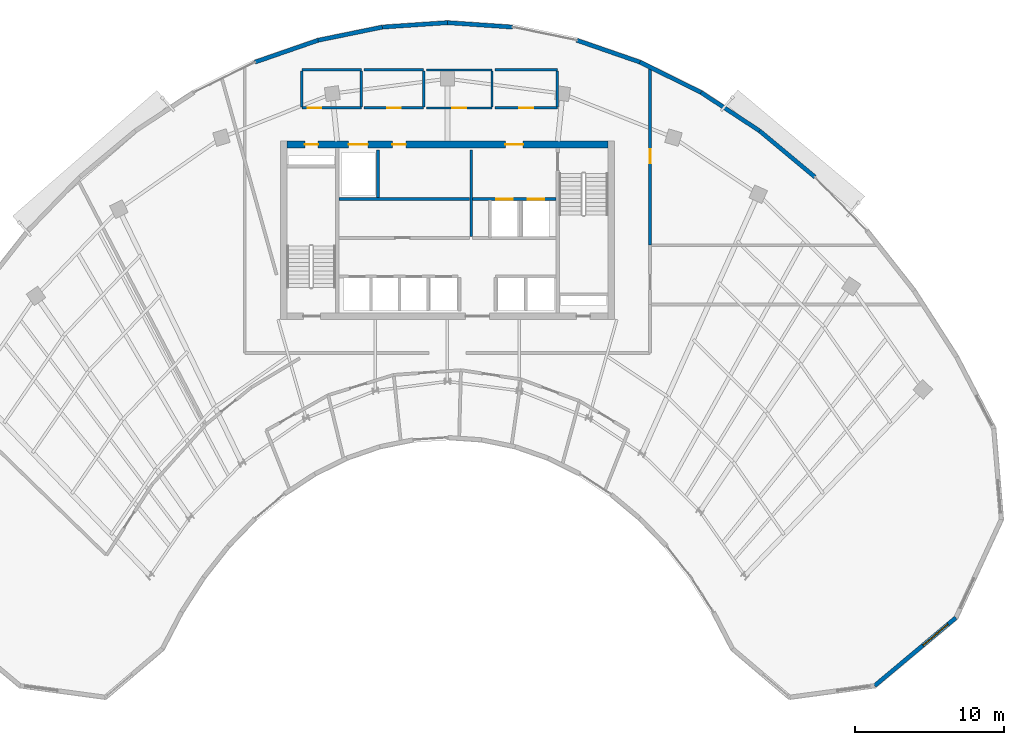
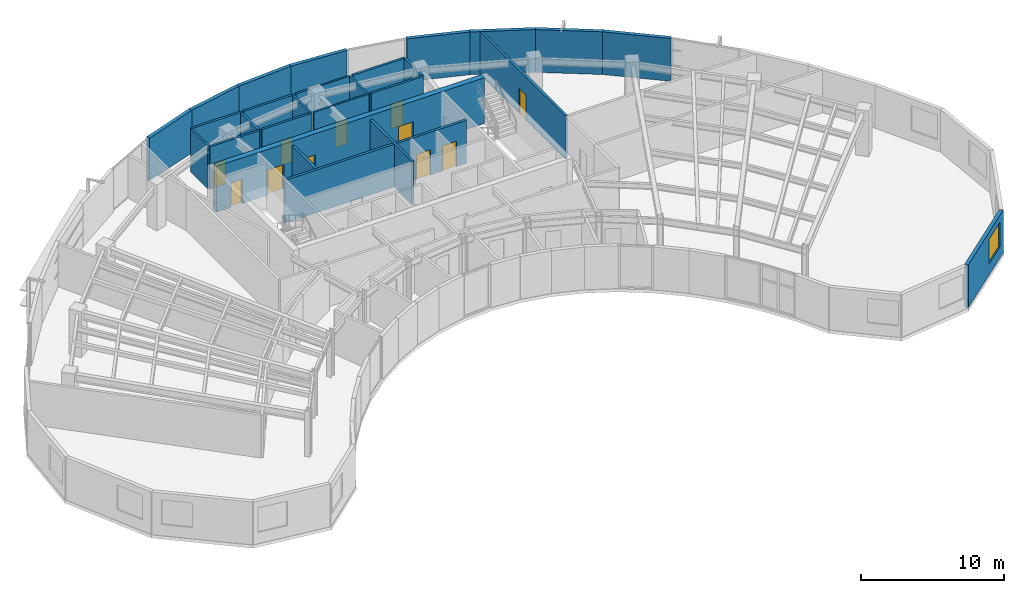
# One storey, part 10 of 13: 28 walls, 11 doors, 1 window, 12 openings.
"""IFC4 building model written with IfcOpenShell, lengths in metres."""

from ifc_helpers import new_model, si_unit, direction, frame, frame_2d, origin, place, context, subcontext, project, spatial, rectangle, extrude, source, transform, mapped, material, layer, layer_set, type_object, type_shapes, element, fill, save


model = new_model("IFC4")

# Units and contexts
model_context = context("Model", 3, precision=1e-05, world=origin(), true_north=direction((0.0, 1.0)))
body_context = subcontext(model_context, "Body", "Model", "MODEL_VIEW")
ifc_project = project(units=[si_unit("LENGTHUNIT", "METRE"), si_unit("AREAUNIT", "SQUARE_METRE"), si_unit("VOLUMEUNIT", "CUBIC_METRE"), si_unit("PLANEANGLEUNIT", "RADIAN"), si_unit("MASSUNIT", "GRAM", prefix="KILO")], contexts=[model_context])

# Site, building, storey
site_placement = place(None, origin())
site = spatial("IfcSite", under=ifc_project, at=site_placement, CompositionType="ELEMENT")
building_placement = place(site_placement, origin())
building = spatial("IfcBuilding", under=site, at=building_placement, Name="Breltana Convention Tower", CompositionType="ELEMENT")
storey_placement = place(building_placement, frame((0.0, 0.0, 223.5)))
storey = spatial("IfcBuildingStorey", under=building, at=storey_placement, Name="L54", CompositionType="ELEMENT", Elevation=223.5)

# Wall, openings, doors
ifc_material_1 = material(Name="Concrete C60/75", Category="concrete")
ifc_layer_1 = layer(ifc_material_1, 0.449951171875, Name="Concrete C60/75")
ifc_layer_set_1 = layer_set([ifc_layer_1], Name="Concrete C60/75")
wall_type_1 = type_object("IfcWallType", Name="SW-CORE-450", PredefinedType="SHEAR", material=ifc_layer_set_1)
shared_shape_1 = source(origin(), body_context, "Body", "SweptSolid", [
    extrude(rectangle(XDim=21.60009765625, YDim=0.449951171875, at=frame_2d((10.800048828125, 0.0))), origin(), (0.0, 0.0, 1.0), 3.89990234375),
])
wall_1_placement = place(storey_placement, frame((37.199951171875, 71.97509765625, 0.0), z_axis=(0.0, 0.0, 1.0), x_axis=(1.0, 0.0, 0.0)))
wall_1 = element("IfcWall", 1, at=wall_1_placement, inside=storey, type_object=wall_type_1, Name="L54 North Core Shear Wall", PredefinedType="SHEAR", context=body_context, shape_type="MappedRepresentation", body=[
    mapped(shared_shape_1, transform((0.0, 0.0, 0.0), scale=1.0)),
])
opening_1_placement = place(wall_1_placement, frame((1.199951171875, 0.0, 0.0)))
opening_1 = element("IfcOpeningElement", 2, at=opening_1_placement, cuts=wall_1, Name="Opening D-18", PredefinedType="OPENING", context=body_context, shape_type="SweptSolid", body=[
    extrude(rectangle(XDim=0.89990234375, YDim=2.10009765625, at=frame_2d((0.449951171875, 1.050048828125))), frame((0.0, 0.23486328125, 0.0), z_axis=(0.0, -1.0, 0.0), x_axis=(1.0, 0.0, 0.0)), (0.0, 0.0, 1.0), 0.469970703125),
])
opening_2_placement = place(wall_1_placement, frame((14.699951171875, 0.0, 0.0)))
opening_2 = element("IfcOpeningElement", 3, at=opening_2_placement, cuts=wall_1, Name="Opening D-09", PredefinedType="OPENING", context=body_context, shape_type="SweptSolid", body=[
    extrude(rectangle(XDim=1.199951171875, YDim=2.14990234375, at=frame_2d((0.60009765625, 1.074951171875))), frame((0.0, 0.23486328125, 0.0), z_axis=(0.0, -1.0, 0.0), x_axis=(1.0, 0.0, 0.0)), (0.0, 0.0, 1.0), 0.469970703125),
])
opening_3_placement = place(wall_1_placement, frame((4.14990234375, 0.0, 0.0)))
opening_3 = element("IfcOpeningElement", 4, at=opening_3_placement, cuts=wall_1, Name="Opening LD-01", PredefinedType="OPENING", context=body_context, shape_type="SweptSolid", body=[
    extrude(rectangle(XDim=1.300048828125, YDim=2.14990234375, at=frame_2d((0.64990234375, 1.074951171875))), frame((0.0, 0.23486328125, 0.0), z_axis=(0.0, -1.0, 0.0), x_axis=(1.0, 0.0, 0.0)), (0.0, 0.0, 1.0), 0.469970703125),
])
opening_4_placement = place(wall_1_placement, frame((7.10009765625, 0.0, 0.0)))
opening_4 = element("IfcOpeningElement", 5, at=opening_4_placement, cuts=wall_1, Name="Opening D-18", PredefinedType="OPENING", context=body_context, shape_type="SweptSolid", body=[
    extrude(rectangle(XDim=0.89990234375, YDim=2.10009765625, at=frame_2d((0.449951171875, 1.050048828125))), frame((0.0, 0.23486328125, 0.0), z_axis=(0.0, -1.0, 0.0), x_axis=(1.0, 0.0, 0.0)), (0.0, 0.0, 1.0), 0.469970703125),
])
ifc_material_2 = material(Name="Steel Riser Fire Door", Category="steel")
door_type_1 = type_object("IfcDoorType", Name="DR-FD60-900", OperationType="NOTDEFINED", PredefinedType="DOOR", material=ifc_material_2)
shared_shape_2 = source(origin(), body_context, "Body", "SweptSolid", [
    extrude(rectangle(XDim=0.89990234375, YDim=2.10009765625, at=frame_2d((0.449951171875, 1.050048828125))), frame((0.0, 0.02490234375, 0.0), z_axis=(0.0, -1.0, 0.0), x_axis=(1.0, 0.0, 0.0)), (0.0, 0.0, 1.0), 0.050048828125),
])
type_shapes(door_type_1, [shared_shape_2])
door_1_placement = place(opening_1_placement, origin())
door_1 = element("IfcDoor", 6, at=door_1_placement, inside=storey, type_object=door_type_1, Name="L54 Core Riser Access Door D-L54-RS1", OperationType="SINGLE_SWING_LEFT", OverallHeight=2.10009765625, OverallWidth=0.89990234375, PredefinedType="DOOR", context=body_context, shape_type="MappedRepresentation", body=[
    mapped(shared_shape_2, transform((0.0, 0.0, 0.0), scale=1.0)),
])
fill(opening_1, door_1)
door_2_placement = place(opening_4_placement, origin())
door_2 = element("IfcDoor", 7, at=door_2_placement, inside=storey, type_object=door_type_1, Name="L54 interior door D-L54-CRA1", OperationType="SINGLE_SWING_RIGHT", OverallHeight=2.10009765625, OverallWidth=0.89990234375, PredefinedType="DOOR", context=body_context, shape_type="MappedRepresentation", body=[
    mapped(shared_shape_2, transform((0.0, 0.0, 0.0), scale=1.0)),
])
fill(opening_4, door_2)
ifc_material_3 = material(Name="Steel Fire Lobby Door", Category="steel")
door_type_2 = type_object("IfcDoorType", Name="DR-FD120-1200", OperationType="NOTDEFINED", PredefinedType="DOOR", material=ifc_material_3)
shared_shape_3 = source(origin(), body_context, "Body", "SweptSolid", [
    extrude(rectangle(XDim=1.199951171875, YDim=2.14990234375, at=frame_2d((0.60009765625, 1.074951171875))), frame((0.0, 0.02490234375, 0.0), z_axis=(0.0, -1.0, 0.0), x_axis=(1.0, 0.0, 0.0)), (0.0, 0.0, 1.0), 0.050048828125),
])
type_shapes(door_type_2, [shared_shape_3])
door_3_placement = place(opening_2_placement, origin())
door_3 = element("IfcDoor", 8, at=door_3_placement, inside=storey, type_object=door_type_2, Name="L54 interior door D-L54-FFL-N", OperationType="SINGLE_SWING_RIGHT", OverallHeight=2.14990234375, OverallWidth=1.199951171875, PredefinedType="DOOR", context=body_context, shape_type="MappedRepresentation", body=[
    mapped(shared_shape_3, transform((0.0, 0.0, 0.0), scale=1.0)),
])
fill(opening_2, door_3)
ifc_material_4 = material(Name="Stainless Steel Brushed", Category="steel")
door_type_3 = type_object("IfcDoorType", Name="DR-LD-SRV-1300", OperationType="DOUBLE_DOOR_SLIDING", PredefinedType="DOOR", material=ifc_material_4)
shared_shape_4 = source(origin(), body_context, "Body", "SweptSolid", [
    extrude(rectangle(XDim=1.300048828125, YDim=2.14990234375, at=frame_2d((0.64990234375, 1.074951171875))), frame((0.0, 0.02490234375, 0.0), z_axis=(0.0, -1.0, 0.0), x_axis=(1.0, 0.0, 0.0)), (0.0, 0.0, 1.0), 0.050048828125),
])
type_shapes(door_type_3, [shared_shape_4])
door_4_placement = place(opening_3_placement, origin())
door_4 = element("IfcDoor", 9, at=door_4_placement, inside=storey, type_object=door_type_3, Name="L54 Lift Landing Door D-L54-LD-SV1", OperationType="DOUBLE_DOOR_SLIDING", OverallHeight=2.14990234375, OverallWidth=1.300048828125, PredefinedType="DOOR", context=body_context, shape_type="MappedRepresentation", body=[
    mapped(shared_shape_4, transform((0.0, 0.0, 0.0), scale=1.0)),
])
fill(opening_3, door_4)

# Wall, opening, window
ifc_material_5 = material(Name="Limestone Buff Insulated Wall", Category="masonry")
ifc_layer_2 = layer(ifc_material_5, 0.280029296875, Name="Limestone Buff Insulated Wall")
ifc_layer_set_2 = layer_set([ifc_layer_2], Name="Limestone Buff Insulated Wall")
wall_type_2 = type_object("IfcWallType", Name="WL-EXT-NOSE-280", PredefinedType="SOLIDWALL", material=ifc_layer_set_2)
shared_shape_5 = source(origin(), body_context, "Body", "SweptSolid", [
    extrude(rectangle(XDim=7.11962890625, YDim=0.280029296875, at=frame_2d((3.559814453125, 0.0))), origin(), (0.0, 0.0, 1.0), 3.639892578125),
])
wall_2_placement = place(storey_placement, frame((82.208251953125, 40.130615234375, 0.0), z_axis=(0.0, 0.0, 1.0), x_axis=(-0.766709783564, -0.641993853387, 0.0)))
wall_2 = element("IfcWall", 10, at=wall_2_placement, inside=storey, type_object=wall_type_2, Name="L54 curved limestone nose wall E3", PredefinedType="SOLIDWALL", context=body_context, shape_type="MappedRepresentation", body=[
    mapped(shared_shape_5, transform((0.0, 0.0, 0.0), scale=1.0)),
])
opening_5_placement = place(wall_2_placement, frame((0.679931640625, 0.0, 0.949951171875)))
opening_5 = element("IfcOpeningElement", 11, at=opening_5_placement, cuts=wall_2, Name="Opening W-03", PredefinedType="OPENING", context=body_context, shape_type="SweptSolid", body=[
    extrude(rectangle(XDim=2.199951171875, YDim=2.10009765625, at=frame_2d((1.10009765625, 1.050048828125))), frame((0.0, 0.14990234375, 0.0), z_axis=(0.0, -1.0, 0.0), x_axis=(1.0, 0.0, 0.0)), (0.0, 0.0, 1.0), 0.300048828125),
])
ifc_material_6 = material(Name="Glass Low-E Insulated Window", Category="glass")
window_type = type_object("IfcWindowType", Name="WN-NOSE-2200X2100", PartitioningType="TRIPLE_PANEL_VERTICAL", PredefinedType="WINDOW", material=ifc_material_6)
shared_shape_6 = source(origin(), body_context, "Body", "SweptSolid", [
    extrude(rectangle(XDim=2.199951171875, YDim=2.10009765625, at=frame_2d((1.10009765625, 1.050048828125))), frame((0.0, 0.030029296875, 0.0), z_axis=(0.0, -1.0, 0.0), x_axis=(1.0, 0.0, 0.0)), (0.0, 0.0, 1.0), 0.06005859375),
])
type_shapes(window_type, [shared_shape_6])
window_placement = place(opening_5_placement, origin())
window = element("IfcWindow", 12, at=window_placement, inside=storey, type_object=window_type, Name="L54 nose window E3", OverallHeight=2.10009765625, OverallWidth=2.199951171875, PartitioningType="TRIPLE_PANEL_VERTICAL", PredefinedType="WINDOW", context=body_context, shape_type="MappedRepresentation", body=[
    mapped(shared_shape_6, transform((0.0, 0.0, 0.0), scale=1.0)),
])
fill(opening_5, window)

# Walls
shared_shape_7 = source(origin(), body_context, "Body", "SweptSolid", [
    extrude(rectangle(XDim=4.851806640625, YDim=0.280029296875, at=frame_2d((2.42578125, 0.0))), origin(), (0.0, 0.0, 1.0), 3.639892578125),
])
wall_3_placement = place(storey_placement, frame((69.006103515625, 72.8955078125, 0.0), z_axis=(0.0, 0.0, 1.0), x_axis=(0.767936605821, -0.640525853843, 0.0)))
element("IfcWall", 13, at=wall_3_placement, inside=storey, type_object=wall_type_2, Name="L54 curved limestone nose wall E31", PredefinedType="SOLIDWALL", context=body_context, shape_type="MappedRepresentation", body=[
    mapped(shared_shape_7, transform((0.0, 0.0, 0.0), scale=1.0)),
])
shared_shape_8 = source(origin(), body_context, "Body", "SweptSolid", [
    extrude(rectangle(XDim=4.712646484375, YDim=0.280029296875, at=frame_2d((2.3564453125, 0.0))), origin(), (0.0, 0.0, 1.0), 3.639892578125),
])
wall_4_placement = place(storey_placement, frame((65.06640625, 75.481689453125, 0.0), z_axis=(0.0, 0.0, 1.0), x_axis=(0.835974386457, -0.548768462275, 0.0)))
element("IfcWall", 14, at=wall_4_placement, inside=storey, type_object=wall_type_2, Name="L54 curved limestone nose wall E30", PredefinedType="SOLIDWALL", context=body_context, shape_type="MappedRepresentation", body=[
    mapped(shared_shape_8, transform((0.0, 0.0, 0.0), scale=1.0)),
])
shared_shape_9 = source(origin(), body_context, "Body", "SweptSolid", [
    extrude(rectangle(XDim=4.59033203125, YDim=0.280029296875, at=frame_2d((2.295166015625, 0.0))), origin(), (0.0, 0.0, 1.0), 3.639892578125),
])
wall_5_placement = place(storey_placement, frame((60.95361328125, 77.520263671875, 0.0), z_axis=(0.0, 0.0, 1.0), x_axis=(0.895974834987, -0.444104824418, 0.0)))
element("IfcWall", 15, at=wall_5_placement, inside=storey, type_object=wall_type_2, Name="L54 curved limestone nose wall E29", PredefinedType="SOLIDWALL", context=body_context, shape_type="MappedRepresentation", body=[
    mapped(shared_shape_9, transform((0.0, 0.0, 0.0), scale=1.0)),
])
shared_shape_10 = source(origin(), body_context, "Body", "SweptSolid", [
    extrude(rectangle(XDim=4.4921875, YDim=0.280029296875, at=frame_2d((2.24609375, 0.0))), origin(), (0.0, 0.0, 1.0), 3.639892578125),
])
for number, where, z_axis, x_axis, name in (
    (16, (35.04638671875, 77.520263671875, 0.0), (0.0, 0.0, 1.0), (0.944872297412, 0.32743906545, 0.0), "L54 curved limestone nose wall E24"),
    (17, (56.708984375, 78.9912109375, 0.0), (0.0, 0.0, 1.0), (0.944872297412, -0.32743906545, 0.0), "L54 curved limestone nose wall E28"),
):
    element("IfcWall", number, at=place(storey_placement, frame(where, z_axis=z_axis, x_axis=x_axis)), inside=storey, type_object=wall_type_2, Name=name, PredefinedType="SOLIDWALL", context=body_context, shape_type="MappedRepresentation", body=[
        mapped(shared_shape_10, transform((0.0, 0.0, 0.0), scale=1.0)),
    ])
shared_shape_11 = source(origin(), body_context, "Body", "SweptSolid", [
    extrude(rectangle(XDim=4.38671875, YDim=0.280029296875, at=frame_2d((2.193359375, 0.0))), origin(), (0.0, 0.0, 1.0), 3.639892578125),
])
for number, where, z_axis, x_axis, name in (
    (18, (43.623291015625, 79.87939453125, 0.0), (0.0, 0.0, 1.0), (0.997703650546, 0.06773053733, 0.0), "L54 curved limestone nose wall E26"),
    (19, (48.0, 80.176513671875, 0.0), (0.0, 0.0, 1.0), (0.997703650546, -0.06773053733, 0.0), "L54 curved limestone nose wall E27"),
):
    element("IfcWall", number, at=place(storey_placement, frame(where, z_axis=z_axis, x_axis=x_axis)), inside=storey, type_object=wall_type_2, Name=name, PredefinedType="SOLIDWALL", context=body_context, shape_type="MappedRepresentation", body=[
        mapped(shared_shape_11, transform((0.0, 0.0, 0.0), scale=1.0)),
    ])
shared_shape_12 = source(origin(), body_context, "Body", "SweptSolid", [
    extrude(rectangle(XDim=4.42236328125, YDim=0.280029296875, at=frame_2d((2.211181640625, 0.0))), origin(), (0.0, 0.0, 1.0), 3.639892578125),
])
wall_6_placement = place(storey_placement, frame((39.291015625, 78.9912109375, 0.0), z_axis=(0.0, 0.0, 1.0), x_axis=(0.979624428875, 0.200838189476, 0.0)))
element("IfcWall", 20, at=wall_6_placement, inside=storey, type_object=wall_type_2, Name="L54 curved limestone nose wall E25", PredefinedType="SOLIDWALL", context=body_context, shape_type="MappedRepresentation", body=[
    mapped(shared_shape_12, transform((0.0, 0.0, 0.0), scale=1.0)),
])

# Wall, openings, doors
ifc_material_7 = material(Name="Autoclaved Aerated Concrete Block", Category="concrete")
ifc_layer_3 = layer(ifc_material_7, 0.199951171875, Name="Autoclaved Aerated Concrete Block")
ifc_layer_set_3 = layer_set([ifc_layer_3], Name="Autoclaved Aerated Concrete Block")
wall_type_3 = type_object("IfcWallType", Name="WL-SHAFT-200", PredefinedType="SOLIDWALL", material=ifc_layer_set_3)
shared_shape_13 = source(origin(), body_context, "Body", "SweptSolid", [
    extrude(rectangle(XDim=5.6201171875, YDim=0.199951171875, at=frame_2d((2.81005859375, 0.0))), origin(), (0.0, 0.0, 1.0), 3.639892578125),
])
wall_7_placement = place(storey_placement, frame((49.699951171875, 68.300048828125, 0.0), z_axis=(0.0, 0.0, 1.0), x_axis=(1.0, 0.0, 0.0)))
wall_7 = element("IfcWall", 21, at=wall_7_placement, inside=storey, type_object=wall_type_3, Name="L54 interior partition W-L54-FFL-S", PredefinedType="SOLIDWALL", context=body_context, shape_type="MappedRepresentation", body=[
    mapped(shared_shape_13, transform((0.0, 0.0, 0.0), scale=1.0)),
])
opening_6_placement = place(wall_7_placement, frame((1.60009765625, 0.0, 0.0)))
opening_6 = element("IfcOpeningElement", 22, at=opening_6_placement, cuts=wall_7, Name="Opening LD-03", PredefinedType="OPENING", context=body_context, shape_type="SweptSolid", body=[
    extrude(rectangle(XDim=1.10009765625, YDim=2.14990234375, at=frame_2d((0.550048828125, 1.074951171875))), frame((0.0, 0.10986328125, 0.0), z_axis=(0.0, -1.0, 0.0), x_axis=(1.0, 0.0, 0.0)), (0.0, 0.0, 1.0), 0.219970703125),
])
opening_7_placement = place(wall_7_placement, frame((3.699951171875, 0.0, 0.0)))
opening_7 = element("IfcOpeningElement", 23, at=opening_7_placement, cuts=wall_7, Name="Opening LD-03", PredefinedType="OPENING", context=body_context, shape_type="SweptSolid", body=[
    extrude(rectangle(XDim=1.10009765625, YDim=2.14990234375, at=frame_2d((0.550048828125, 1.074951171875))), frame((0.0, 0.10986328125, 0.0), z_axis=(0.0, -1.0, 0.0), x_axis=(1.0, 0.0, 0.0)), (0.0, 0.0, 1.0), 0.219970703125),
])
door_type_4 = type_object("IfcDoorType", Name="DR-LD-FF-1100", OperationType="DOUBLE_DOOR_SLIDING", PredefinedType="DOOR", material=ifc_material_4)
shared_shape_14 = source(origin(), body_context, "Body", "SweptSolid", [
    extrude(rectangle(XDim=1.10009765625, YDim=2.14990234375, at=frame_2d((0.550048828125, 1.074951171875))), frame((0.0, 0.02490234375, 0.0), z_axis=(0.0, -1.0, 0.0), x_axis=(1.0, 0.0, 0.0)), (0.0, 0.0, 1.0), 0.050048828125),
])
type_shapes(door_type_4, [shared_shape_14])
door_5_placement = place(opening_6_placement, origin())
door_5 = element("IfcDoor", 24, at=door_5_placement, inside=storey, type_object=door_type_4, Name="L54 Lift Landing Door D-L54-LD-FL1", OperationType="DOUBLE_DOOR_SLIDING", OverallHeight=2.14990234375, OverallWidth=1.10009765625, PredefinedType="DOOR", context=body_context, shape_type="MappedRepresentation", body=[
    mapped(shared_shape_14, transform((0.0, 0.0, 0.0), scale=1.0)),
])
fill(opening_6, door_5)
door_6_placement = place(opening_7_placement, origin())
door_6 = element("IfcDoor", 25, at=door_6_placement, inside=storey, type_object=door_type_4, Name="L54 Lift Landing Door D-L54-LD-FL2", OperationType="DOUBLE_DOOR_SLIDING", OverallHeight=2.14990234375, OverallWidth=1.10009765625, PredefinedType="DOOR", context=body_context, shape_type="MappedRepresentation", body=[
    mapped(shared_shape_14, transform((0.0, 0.0, 0.0), scale=1.0)),
])
fill(opening_7, door_6)

# Walls
shared_shape_15 = source(origin(), body_context, "Body", "SweptSolid", [
    extrude(rectangle(XDim=5.800048828125, YDim=0.199951171875, at=frame_2d((2.89990234375, 0.0))), origin(), (0.0, 0.0, 1.0), 3.639892578125),
])
wall_8_placement = place(storey_placement, frame((49.60009765625, 65.800048828125, 0.0), z_axis=(0.0, 0.0, 1.0), x_axis=(0.0, 1.0, 0.0)))
element("IfcWall", 26, at=wall_8_placement, inside=storey, type_object=wall_type_3, Name="L54 interior partition W-L54-FFL-W", PredefinedType="SOLIDWALL", context=body_context, shape_type="MappedRepresentation", body=[
    mapped(shared_shape_15, transform((0.0, 0.0, 0.0), scale=1.0)),
])
shared_shape_16 = source(origin(), body_context, "Body", "SweptSolid", [
    extrude(rectangle(XDim=3.2001953125, YDim=0.199951171875, at=frame_2d((1.60009765625, 0.0))), origin(), (0.0, 0.0, 1.0), 3.639892578125),
])
wall_9_placement = place(storey_placement, frame((43.320068359375, 68.39990234375, 0.0), z_axis=(0.0, 0.0, 1.0), x_axis=(0.0, 1.0, 0.0)))
element("IfcWall", 27, at=wall_9_placement, inside=storey, type_object=wall_type_3, Name="L54 interior partition W-L54-SV-E", PredefinedType="SOLIDWALL", context=body_context, shape_type="MappedRepresentation", body=[
    mapped(shared_shape_16, transform((0.0, 0.0, 0.0), scale=1.0)),
])
shared_shape_17 = source(origin(), body_context, "Body", "SweptSolid", [
    extrude(rectangle(XDim=8.800048828125, YDim=0.199951171875, at=frame_2d((4.39990234375, 0.0))), origin(), (0.0, 0.0, 1.0), 3.639892578125),
])
wall_10_placement = place(storey_placement, frame((40.699951171875, 68.300048828125, 0.0), z_axis=(0.0, 0.0, 1.0), x_axis=(1.0, 0.0, 0.0)))
element("IfcWall", 28, at=wall_10_placement, inside=storey, type_object=wall_type_3, Name="L54 interior partition W-L54-SV-S", PredefinedType="SOLIDWALL", context=body_context, shape_type="MappedRepresentation", body=[
    mapped(shared_shape_17, transform((0.0, 0.0, 0.0), scale=1.0)),
])

# Wall, opening, door
ifc_material_8 = material(Name="Cement Board Wet-Area Partition")
ifc_layer_4 = layer(ifc_material_8, 0.175048828125, Name="Cement Board Wet-Area Partition")
ifc_layer_set_4 = layer_set([ifc_layer_4], Name="Cement Board Wet-Area Partition")
wall_type_4 = type_object("IfcWallType", Name="WL-WET-175", PredefinedType="PARTITIONING", material=ifc_layer_set_4)
shared_shape_18 = source(origin(), body_context, "Body", "SweptSolid", [
    extrude(rectangle(XDim=4.0, YDim=0.175048828125, at=frame_2d((2.0, 0.0))), origin(), (0.0, 0.0, 1.0), 3.639892578125),
])
wall_11_placement = place(storey_placement, frame((38.199951171875, 74.43994140625, 0.0), z_axis=(0.0, 0.0, 1.0), x_axis=(1.0, 0.0, 0.0)))
wall_11 = element("IfcWall", 29, at=wall_11_placement, inside=storey, type_object=wall_type_4, Name="L54 interior partition W-L54-WCM-S", PredefinedType="PARTITIONING", context=body_context, shape_type="MappedRepresentation", body=[
    mapped(shared_shape_18, transform((0.0, 0.0, 0.0), scale=1.0)),
])
opening_8_placement = place(wall_11_placement, frame((0.39990234375, 0.0, 0.0)))
opening_8 = element("IfcOpeningElement", 30, at=opening_8_placement, cuts=wall_11, Name="Opening D-19", PredefinedType="OPENING", context=body_context, shape_type="SweptSolid", body=[
    extrude(rectangle(XDim=0.89990234375, YDim=2.080078125, at=frame_2d((0.449951171875, 1.0400390625))), frame((0.0, 0.09765625, 0.0), z_axis=(0.0, -1.0, 0.0), x_axis=(1.0, 0.0, 0.0)), (0.0, 0.0, 1.0), 0.195068359375),
])
ifc_material_9 = material(Name="Timber Moisture-Resistant Door", Category="wood")
door_type_5 = type_object("IfcDoorType", Name="DR-WC-900", OperationType="NOTDEFINED", PredefinedType="DOOR", material=ifc_material_9)
shared_shape_19 = source(origin(), body_context, "Body", "SweptSolid", [
    extrude(rectangle(XDim=0.89990234375, YDim=2.080078125, at=frame_2d((0.449951171875, 1.0400390625))), frame((0.0, 0.02490234375, 0.0), z_axis=(0.0, -1.0, 0.0), x_axis=(1.0, 0.0, 0.0)), (0.0, 0.0, 1.0), 0.050048828125),
])
type_shapes(door_type_5, [shared_shape_19])
door_7_placement = place(opening_8_placement, origin())
door_7 = element("IfcDoor", 31, at=door_7_placement, inside=storey, type_object=door_type_5, Name="L54 interior door D-L54-WCM", OperationType="SINGLE_SWING_RIGHT", OverallHeight=2.080078125, OverallWidth=0.89990234375, PredefinedType="DOOR", context=body_context, shape_type="MappedRepresentation", body=[
    mapped(shared_shape_19, transform((0.0, 0.0, 0.0), scale=1.0)),
])
fill(opening_8, door_7)

wall_12_placement = place(storey_placement, frame((42.39990234375, 74.43994140625, 0.0), z_axis=(0.0, 0.0, 1.0), x_axis=(1.0, 0.0, 0.0)))
wall_12 = element("IfcWall", 32, at=wall_12_placement, inside=storey, type_object=wall_type_4, Name="L54 interior partition W-L54-WCF-S", PredefinedType="PARTITIONING", context=body_context, shape_type="MappedRepresentation", body=[
    mapped(shared_shape_18, transform((0.0, 0.0, 0.0), scale=1.0)),
])
opening_9_placement = place(wall_12_placement, frame((1.550048828125, 0.0, 0.0)))
opening_9 = element("IfcOpeningElement", 33, at=opening_9_placement, cuts=wall_12, Name="Opening D-19", PredefinedType="OPENING", context=body_context, shape_type="SweptSolid", body=[
    extrude(rectangle(XDim=0.89990234375, YDim=2.080078125, at=frame_2d((0.449951171875, 1.0400390625))), frame((0.0, 0.09765625, 0.0), z_axis=(0.0, -1.0, 0.0), x_axis=(1.0, 0.0, 0.0)), (0.0, 0.0, 1.0), 0.195068359375),
])
door_8_placement = place(opening_9_placement, origin())
door_8 = element("IfcDoor", 34, at=door_8_placement, inside=storey, type_object=door_type_5, Name="L54 interior door D-L54-WCF", OperationType="SINGLE_SWING_LEFT", OverallHeight=2.080078125, OverallWidth=0.89990234375, PredefinedType="DOOR", context=body_context, shape_type="MappedRepresentation", body=[
    mapped(shared_shape_19, transform((0.0, 0.0, 0.0), scale=1.0)),
])
fill(opening_9, door_8)

# Walls
ifc_material_10 = material(Name="Moisture-Resistant Gypsum Chase Wall")
ifc_layer_5 = layer(ifc_material_10, 0.179931640625, Name="Moisture-Resistant Gypsum Chase Wall")
ifc_layer_set_5 = layer_set([ifc_layer_5], Name="Moisture-Resistant Gypsum Chase Wall")
wall_type_5 = type_object("IfcWallType", Name="WL-PLUMB-180", PredefinedType="PLUMBINGWALL", material=ifc_layer_set_5)
shared_shape_20 = source(origin(), body_context, "Body", "SweptSolid", [
    extrude(rectangle(XDim=4.0, YDim=0.179931640625, at=frame_2d((2.0, 0.0))), origin(), (0.0, 0.0, 1.0), 3.639892578125),
])
for number, where, z_axis, x_axis, name in (
    (35, (38.199951171875, 77.0, 0.0), (0.0, 0.0, 1.0), (1.0, 0.0, 0.0), "L54 interior partition W-L54-WCM-N"),
    (36, (42.39990234375, 77.0, 0.0), (0.0, 0.0, 1.0), (1.0, 0.0, 0.0), "L54 interior partition W-L54-WCF-N"),
):
    element("IfcWall", number, at=place(storey_placement, frame(where, z_axis=z_axis, x_axis=x_axis)), inside=storey, type_object=wall_type_5, Name=name, PredefinedType="PLUMBINGWALL", context=body_context, shape_type="MappedRepresentation", body=[
        mapped(shared_shape_20, transform((0.0, 0.0, 0.0), scale=1.0)),
    ])
shared_shape_21 = source(origin(), body_context, "Body", "SweptSolid", [
    extrude(rectangle(XDim=2.402587890625, YDim=0.175048828125, at=frame_2d((1.201171875, 0.0))), origin(), (0.0, 0.0, 1.0), 3.639892578125),
])
for number, where, z_axis, x_axis, name in (
    (37, (38.199951171875, 74.518798828125, 0.0), (0.0, 0.0, 1.0), (0.0, 1.0, 0.0), "L54 interior partition W-L54-WCM-W"),
    (38, (42.199951171875, 74.518798828125, 0.0), (0.0, 0.0, 1.0), (0.0, 1.0, 0.0), "L54 interior partition W-L54-WCM-E"),
    (39, (46.39990234375, 74.518798828125, 0.0), (0.0, 0.0, 1.0), (0.0, 1.0, 0.0), "L54 interior partition W-L54-WCF-E"),
    (40, (55.39990234375, 74.518798828125, 0.0), (0.0, 0.0, 1.0), (0.0, 1.0, 0.0), "L54 interior partition W-L54-WCA-E"),
):
    element("IfcWall", number, at=place(storey_placement, frame(where, z_axis=z_axis, x_axis=x_axis)), inside=storey, type_object=wall_type_4, Name=name, PredefinedType="PARTITIONING", context=body_context, shape_type="MappedRepresentation", body=[
        mapped(shared_shape_21, transform((0.0, 0.0, 0.0), scale=1.0)),
    ])

# Wall, opening, door
ifc_material_11 = material(Name="Gypsum Acoustic Drywall Partition")
ifc_layer_6 = layer(ifc_material_11, 0.14990234375, Name="Gypsum Acoustic Drywall Partition")
ifc_layer_set_6 = layer_set([ifc_layer_6], Name="Gypsum Acoustic Drywall Partition")
wall_type_6 = type_object("IfcWallType", Name="WL-PART-150", PredefinedType="PARTITIONING", material=ifc_layer_set_6)
shared_shape_22 = source(origin(), body_context, "Body", "SweptSolid", [
    extrude(rectangle(XDim=4.39990234375, YDim=0.14990234375, at=frame_2d((2.199951171875, 0.0))), origin(), (0.0, 0.0, 1.0), 3.639892578125),
])
wall_13_placement = place(storey_placement, frame((46.60009765625, 74.43994140625, 0.0), z_axis=(0.0, 0.0, 1.0), x_axis=(1.0, 0.0, 0.0)))
wall_13 = element("IfcWall", 41, at=wall_13_placement, inside=storey, type_object=wall_type_6, Name="L54 interior partition W-L54-PNT-S", PredefinedType="PARTITIONING", context=body_context, shape_type="MappedRepresentation", body=[
    mapped(shared_shape_22, transform((0.0, 0.0, 0.0), scale=1.0)),
])
opening_10_placement = place(wall_13_placement, frame((1.72509765625, 0.0, 0.0)))
opening_10 = element("IfcOpeningElement", 42, at=opening_10_placement, cuts=wall_13, Name="Opening D-17", PredefinedType="OPENING", context=body_context, shape_type="SweptSolid", body=[
    extrude(rectangle(XDim=0.949951171875, YDim=2.10009765625, at=frame_2d((0.47509765625, 1.050048828125))), frame((0.0, 0.0849609375, 0.0), z_axis=(0.0, -1.0, 0.0), x_axis=(1.0, 0.0, 0.0)), (0.0, 0.0, 1.0), 0.169921875),
])
ifc_material_12 = material(Name="Timber Oak Veneer Door", Category="wood")
door_type_6 = type_object("IfcDoorType", Name="DR-INT-950", OperationType="NOTDEFINED", PredefinedType="DOOR", material=ifc_material_12)
shared_shape_23 = source(origin(), body_context, "Body", "SweptSolid", [
    extrude(rectangle(XDim=0.949951171875, YDim=2.10009765625, at=frame_2d((0.47509765625, 1.050048828125))), frame((0.0, 0.02490234375, 0.0), z_axis=(0.0, -1.0, 0.0), x_axis=(1.0, 0.0, 0.0)), (0.0, 0.0, 1.0), 0.050048828125),
])
type_shapes(door_type_6, [shared_shape_23])
door_9_placement = place(opening_10_placement, origin())
door_9 = element("IfcDoor", 43, at=door_9_placement, inside=storey, type_object=door_type_6, Name="L54 interior door D-L54-PNT", OperationType="SINGLE_SWING_RIGHT", OverallHeight=2.10009765625, OverallWidth=0.949951171875, PredefinedType="DOOR", context=body_context, shape_type="MappedRepresentation", body=[
    mapped(shared_shape_23, transform((0.0, 0.0, 0.0), scale=1.0)),
])
fill(opening_10, door_9)

# Walls
wall_14_placement = place(storey_placement, frame((46.60009765625, 77.0, 0.0), z_axis=(0.0, 0.0, 1.0), x_axis=(1.0, 0.0, 0.0)))
element("IfcWall", 44, at=wall_14_placement, inside=storey, type_object=wall_type_6, Name="L54 interior partition W-L54-PNT-N", PredefinedType="PARTITIONING", context=body_context, shape_type="MappedRepresentation", body=[
    mapped(shared_shape_22, transform((0.0, 0.0, 0.0), scale=1.0)),
])
shared_shape_24 = source(origin(), body_context, "Body", "SweptSolid", [
    extrude(rectangle(XDim=2.425048828125, YDim=0.14990234375, at=frame_2d((1.21240234375, 0.0))), origin(), (0.0, 0.0, 1.0), 3.639892578125),
])
wall_15_placement = place(storey_placement, frame((51.0, 74.507568359375, 0.0), z_axis=(0.0, 0.0, 1.0), x_axis=(0.0, 1.0, 0.0)))
element("IfcWall", 45, at=wall_15_placement, inside=storey, type_object=wall_type_6, Name="L54 interior partition W-L54-PNT-E", PredefinedType="PARTITIONING", context=body_context, shape_type="MappedRepresentation", body=[
    mapped(shared_shape_24, transform((0.0, 0.0, 0.0), scale=1.0)),
])

# Wall, opening, door
shared_shape_25 = source(origin(), body_context, "Body", "SweptSolid", [
    extrude(rectangle(XDim=4.199951171875, YDim=0.175048828125, at=frame_2d((2.10009765625, 0.0))), origin(), (0.0, 0.0, 1.0), 3.639892578125),
])
wall_16_placement = place(storey_placement, frame((51.199951171875, 74.43994140625, 0.0), z_axis=(0.0, 0.0, 1.0), x_axis=(1.0, 0.0, 0.0)))
wall_16 = element("IfcWall", 46, at=wall_16_placement, inside=storey, type_object=wall_type_4, Name="L54 interior partition W-L54-WCA-S", PredefinedType="PARTITIONING", context=body_context, shape_type="MappedRepresentation", body=[
    mapped(shared_shape_25, transform((0.0, 0.0, 0.0), scale=1.0)),
])
opening_11_placement = place(wall_16_placement, frame((1.625, 0.0, 0.0)))
opening_11 = element("IfcOpeningElement", 47, at=opening_11_placement, cuts=wall_16, Name="Opening D-16", PredefinedType="OPENING", context=body_context, shape_type="SweptSolid", body=[
    extrude(rectangle(XDim=0.949951171875, YDim=2.1201171875, at=frame_2d((0.47509765625, 1.06005859375))), frame((0.0, 0.09765625, 0.0), z_axis=(0.0, -1.0, 0.0), x_axis=(1.0, 0.0, 0.0)), (0.0, 0.0, 1.0), 0.195068359375),
])
ifc_material_13 = material(Name="Timber Laminate Accessible Door", Category="wood")
door_type_7 = type_object("IfcDoorType", Name="DR-ACC-950", OperationType="NOTDEFINED", PredefinedType="DOOR", material=ifc_material_13)
shared_shape_26 = source(origin(), body_context, "Body", "SweptSolid", [
    extrude(rectangle(XDim=0.949951171875, YDim=2.1201171875, at=frame_2d((0.47509765625, 1.06005859375))), frame((0.0, 0.02490234375, 0.0), z_axis=(0.0, -1.0, 0.0), x_axis=(1.0, 0.0, 0.0)), (0.0, 0.0, 1.0), 0.050048828125),
])
type_shapes(door_type_7, [shared_shape_26])
door_10_placement = place(opening_11_placement, origin())
door_10 = element("IfcDoor", 48, at=door_10_placement, inside=storey, type_object=door_type_7, Name="L54 interior door D-L54-WCA", OperationType="SINGLE_SWING_LEFT", OverallHeight=2.1201171875, OverallWidth=0.949951171875, PredefinedType="DOOR", context=body_context, shape_type="MappedRepresentation", body=[
    mapped(shared_shape_26, transform((0.0, 0.0, 0.0), scale=1.0)),
])
fill(opening_11, door_10)

# Wall
shared_shape_27 = source(origin(), body_context, "Body", "SweptSolid", [
    extrude(rectangle(XDim=4.199951171875, YDim=0.179931640625, at=frame_2d((2.10009765625, 0.0))), origin(), (0.0, 0.0, 1.0), 3.639892578125),
])
wall_17_placement = place(storey_placement, frame((51.199951171875, 77.0, 0.0), z_axis=(0.0, 0.0, 1.0), x_axis=(1.0, 0.0, 0.0)))
element("IfcWall", 49, at=wall_17_placement, inside=storey, type_object=wall_type_5, Name="L54 interior partition W-L54-WCA-N", PredefinedType="PLUMBINGWALL", context=body_context, shape_type="MappedRepresentation", body=[
    mapped(shared_shape_27, transform((0.0, 0.0, 0.0), scale=1.0)),
])

# Wall, opening, door
ifc_material_14 = material(Name="Gypsum Acoustic Hotel Wall")
ifc_layer_7 = layer(ifc_material_14, 0.195068359375, Name="Gypsum Acoustic Hotel Wall")
ifc_layer_set_7 = layer_set([ifc_layer_7], Name="Gypsum Acoustic Hotel Wall")
wall_type_7 = type_object("IfcWallType", Name="WL-HOTEL-200", PredefinedType="PARTITIONING", material=ifc_layer_set_7)
shared_shape_28 = source(origin(), body_context, "Body", "SweptSolid", [
    extrude(rectangle(XDim=11.96875, YDim=0.195068359375, at=frame_2d((5.984375, 0.0))), origin(), (0.0, 0.0, 1.0), 3.639892578125),
])
wall_18_placement = place(storey_placement, frame((61.639892578125, 65.199951171875, 0.0), z_axis=(0.0, 0.0, 1.0), x_axis=(0.0, 1.0, 0.0)))
wall_18 = element("IfcWall", 50, at=wall_18_placement, inside=storey, type_object=wall_type_7, Name="L54 interior partition W-L54-EXE3-ENT", PredefinedType="PARTITIONING", context=body_context, shape_type="MappedRepresentation", body=[
    mapped(shared_shape_28, transform((0.0, 0.0, 0.0), scale=1.0)),
])
opening_12_placement = place(wall_18_placement, frame((5.509521484375, 0.0, 0.0)))
opening_12 = element("IfcOpeningElement", 51, at=opening_12_placement, cuts=wall_18, Name="Opening D-17", PredefinedType="OPENING", context=body_context, shape_type="SweptSolid", body=[
    extrude(rectangle(XDim=0.949951171875, YDim=2.10009765625, at=frame_2d((0.47509765625, 1.050048828125))), frame((0.0, 0.107421875, 0.0), z_axis=(0.0, -1.0, 0.0), x_axis=(1.0, 0.0, 0.0)), (0.0, 0.0, 1.0), 0.215087890625),
])
door_11_placement = place(opening_12_placement, origin())
door_11 = element("IfcDoor", 52, at=door_11_placement, inside=storey, type_object=door_type_6, Name="L54 interior door D-L54-EXE3", OperationType="SINGLE_SWING_LEFT", OverallHeight=2.10009765625, OverallWidth=0.949951171875, PredefinedType="DOOR", context=body_context, shape_type="MappedRepresentation", body=[
    mapped(shared_shape_23, transform((0.0, 0.0, 0.0), scale=1.0)),
])
fill(opening_12, door_11)

save(model, "model.ifc")
